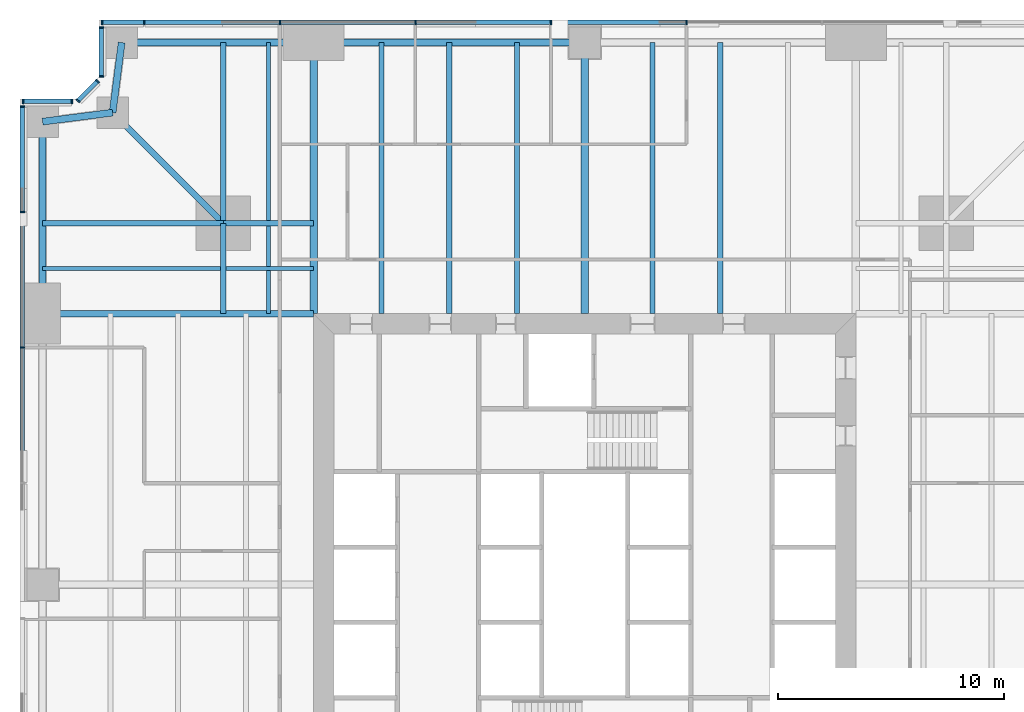
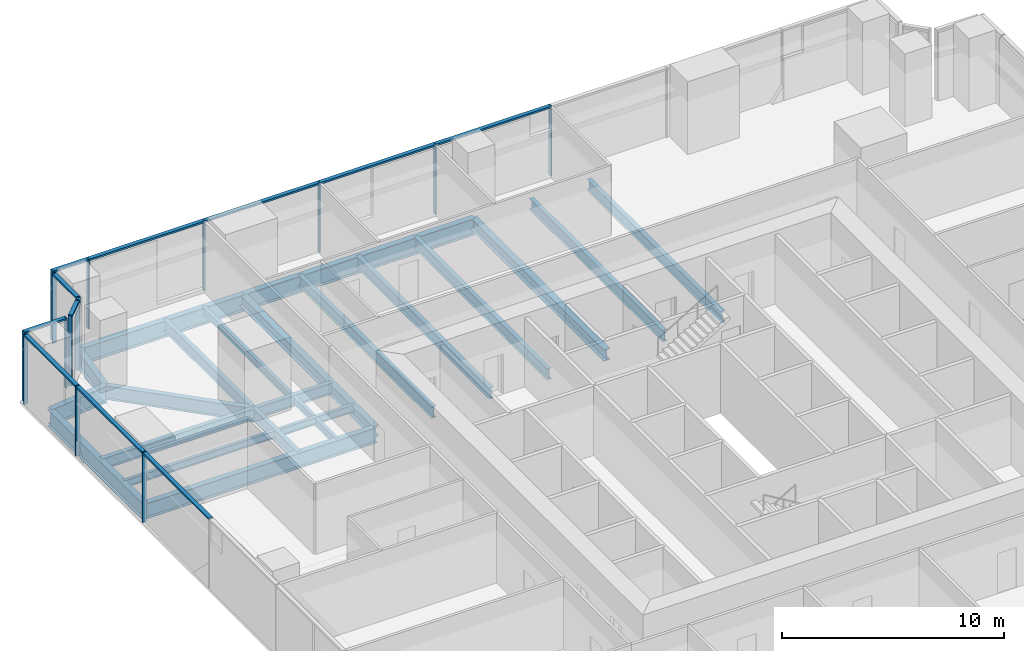
# One storey, part 6 of 13: 26 members, 23 beams, 5 elements without a shape of their own.
"""IFC4 building model written with IfcOpenShell, lengths in metres."""

import ifcopenshell
import ifcopenshell.guid

model = None  # the IFC model being written
_history = None  # IfcOwnerHistory: only IFC2X3 demands one
_inside = {}  # id of a spatial element -> (the spatial element, [elements in it])
_under = {}  # id of a project, library or spatial element -> (it, [spatial elements below it])
_declared = {}  # id of a project -> (the project, [libraries it declares])
_typed = {}  # id of a type object -> (the type object, [elements of that type])
_made_of = {}  # id of a material, layer set ... -> (it, [elements and type objects made of it])


def new_model(schema):
    """Start an empty IFC model of exactly this schema.

    Asked for "IFC4X3", IfcOpenShell would pick the latest addendum, in which some entities
    have other attributes; the version numbers below select the first issue.
    IFC2X3 requires an IfcOwnerHistory on every rooted entity: one is made here for all.
    """
    global model, _history
    if schema == "IFC4X3":
        model = ifcopenshell.file(schema_version=(4, 3, 0, 0))
    else:
        model = ifcopenshell.file(schema=schema)
    _inside.clear()
    _under.clear()
    _declared.clear()
    _typed.clear()
    _made_of.clear()
    _history = None
    if model.schema == "IFC2X3":
        org = make("IfcOrganization", Name="unknown")
        user = make(
            "IfcPersonAndOrganization",
            ThePerson=make("IfcPerson", FamilyName="unknown"),
            TheOrganization=org,
        )
        app = make(
            "IfcApplication",
            ApplicationDeveloper=org,
            Version="unknown",
            ApplicationFullName="unknown",
            ApplicationIdentifier="unknown",
        )
        _history = make(
            "IfcOwnerHistory",
            OwningUser=user,
            OwningApplication=app,
            ChangeAction="ADDED",
            CreationDate=0,
        )
    return model


def make(cls, **values):
    """One entity of the class cls with the attributes given. An attribute that is None is left unset."""
    return model.create_entity(
        cls, **{name: value for name, value in values.items() if value is not None}
    )


def rooted(cls, **values):
    """An entity with a GlobalId (a new one), such as an element, a storey or a relation."""
    return make(cls, GlobalId=ifcopenshell.guid.new(), OwnerHistory=_history, **values)


def si_unit(unit_type, name, prefix=None):
    """IfcSIUnit, for example si_unit("LENGTHUNIT", "METRE", prefix="MILLI")."""
    return make("IfcSIUnit", UnitType=unit_type, Prefix=prefix, Name=name)


def assignment(units):
    """IfcUnitAssignment: the units of a project."""
    return None if units is None else make("IfcUnitAssignment", Units=units)


def point(xyz):
    """IfcCartesianPoint."""
    return None if xyz is None else make("IfcCartesianPoint", Coordinates=xyz)


def direction(xyz):
    """IfcDirection."""
    return None if xyz is None else make("IfcDirection", DirectionRatios=xyz)


def frame(location, z_axis=None, x_axis=None):
    """IfcAxis2Placement3D, a coordinate frame: its origin and axes. An axis left out is left unset."""
    return make(
        "IfcAxis2Placement3D",
        Location=point(location),
        Axis=direction(z_axis),
        RefDirection=direction(x_axis),
    )


def frame_2d(location, x_axis=None):
    """IfcAxis2Placement2D, a coordinate frame in the plane: its origin and x axis."""
    return make(
        "IfcAxis2Placement2D", Location=point(location), RefDirection=direction(x_axis)
    )


def origin():
    """The frame at (0, 0, 0) with its axes left unset."""
    return frame((0.0, 0.0, 0.0))


def origin_2d():
    """The frame at (0, 0) in the plane with its x axis left unset."""
    return frame_2d((0.0, 0.0))


def place(relative_to, where):
    """IfcLocalPlacement: puts the frame where relative to a parent placement (None: the world)."""
    return make(
        "IfcLocalPlacement", PlacementRelTo=relative_to, RelativePlacement=where
    )


def context(
    kind, dimensions, precision=None, world=None, true_north=None, identifier=None
):
    """IfcGeometricRepresentationContext, for example the 3D "Model" context."""
    return make(
        "IfcGeometricRepresentationContext",
        ContextIdentifier=identifier,
        ContextType=kind,
        CoordinateSpaceDimension=dimensions,
        Precision=precision,
        WorldCoordinateSystem=world,
        TrueNorth=true_north,
    )


def subcontext(parent, identifier, kind, view, scale=None):
    """IfcGeometricRepresentationSubContext, for example "Body" below "Model"."""
    return make(
        "IfcGeometricRepresentationSubContext",
        ContextIdentifier=identifier,
        ContextType=kind,
        ParentContext=parent,
        TargetScale=scale,
        TargetView=view,
    )


def project(units=None, contexts=None):
    """IfcProject with its units and contexts."""
    return rooted(
        "IfcProject",
        Name="project",
        RepresentationContexts=contexts,
        UnitsInContext=assignment(units),
    )


def spatial(cls, under=None, at=None, **own):
    """A site, building, storey or space (cls), placed at a placement, below another one or the project."""
    s = rooted(cls, ObjectPlacement=at, **own)
    if under is not None:
        _under.setdefault(under.id(), (under, []))[1].append(s)
    return s


def profile(cls, at=None, kind="AREA", **sizes):
    """A parametric profile (cls). Its sizes go by their IFC names, for example OverallWidth=200.0."""
    return make(cls, ProfileType=kind, Position=at, **sizes)


def rectangle(**sizes):
    """IfcRectangleProfileDef."""
    return profile("IfcRectangleProfileDef", **sizes)


def i_section(**sizes):
    """IfcIShapeProfileDef."""
    return profile("IfcIShapeProfileDef", **sizes)


def extrude(swept, where, along, depth):
    """IfcExtrudedAreaSolid: the profile swept, set in the frame where, extruded along a direction by depth."""
    return make(
        "IfcExtrudedAreaSolid",
        SweptArea=swept,
        Position=where,
        ExtrudedDirection=direction(along),
        Depth=depth,
    )


def shape(context_of_items, identifier, shape_type, items):
    """IfcShapeRepresentation: the items that make up one representation, for example the "Body"."""
    return make(
        "IfcShapeRepresentation",
        ContextOfItems=context_of_items,
        RepresentationIdentifier=identifier,
        RepresentationType=shape_type,
        Items=items,
    )


def material(Name=None, Category=None):
    """IfcMaterial."""
    return make("IfcMaterial", Name=Name, Category=Category)


def material_profile(
    of_material, cross_section, Name=None, Category=None, Priority=None
):
    """IfcMaterialProfile: a cross section and its material."""
    return make(
        "IfcMaterialProfile",
        Name=Name,
        Material=of_material,
        Profile=cross_section,
        Priority=Priority,
        Category=Category,
    )


def profile_set(profiles, Name=None, composite=None):
    """IfcMaterialProfileSet."""
    return make(
        "IfcMaterialProfileSet",
        Name=Name,
        MaterialProfiles=profiles,
        CompositeProfile=composite,
    )


def made_of(thing, what):
    """Note that an element or type object is made of a material, layer set ...; save() writes the relation."""
    if what is not None:
        _made_of.setdefault(what.id(), (what, []))[1].append(thing)
    return thing


def type_object(cls, material=None, **own):
    """A type object (cls), such as IfcWallType, which elements share."""
    return made_of(rooted(cls, **own), material)


def element(
    cls,
    number,
    at=None,
    inside=None,
    cuts=None,
    type_object=None,
    material=None,
    context=None,
    identifier="Body",
    shape_type=None,
    held_by="IfcProductDefinitionShape",
    body=None,
    shapes=None,
    **own,
):
    """One element of the class cls, such as IfcWall. Its Tag is "e" and its number.

    at: its placement. inside: the storey or other place that contains it. cuts: it is an
    opening in that element (IfcRelVoidsElement). A single representation is given by context,
    identifier, shape_type and body (its items); several are given by shapes. held_by: the class
    of the entity that holds the representations. save() writes the other relations.
    """
    e = rooted(cls, Tag="e%d" % number, ObjectPlacement=at, **own)
    if body is not None:
        shapes = [shape(context, identifier, shape_type, body)]
    if shapes is not None:
        e.Representation = make(held_by, Representations=shapes)
    if inside is not None:
        _inside.setdefault(inside.id(), (inside, []))[1].append(e)
    if cuts is not None:
        rooted(
            "IfcRelVoidsElement", RelatingBuildingElement=cuts, RelatedOpeningElement=e
        )
    if type_object is not None:
        _typed.setdefault(type_object.id(), (type_object, []))[1].append(e)
    return made_of(e, material)


def aggregate(whole, parts):
    """IfcRelAggregates: a whole, such as a stair, and the parts it consists of."""
    return rooted("IfcRelAggregates", RelatingObject=whole, RelatedObjects=parts)


def save(model, path):
    """Write the relations noted so far, then the file.

    IfcRelAggregates (storeys below a building ...), IfcRelContainedInSpatialStructure (elements
    in a storey), IfcRelDefinesByType, IfcRelAssociatesMaterial and IfcRelDeclares: one each for
    every whole, place, type object, material and project.
    """
    for whole, parts in _under.values():
        aggregate(whole, parts)
    for where, things in _inside.values():
        rooted(
            "IfcRelContainedInSpatialStructure",
            RelatedElements=things,
            RelatingStructure=where,
        )
    for kind, things in _typed.values():
        rooted("IfcRelDefinesByType", RelatedObjects=things, RelatingType=kind)
    for what, things in _made_of.values():
        rooted("IfcRelAssociatesMaterial", RelatedObjects=things, RelatingMaterial=what)
    for by, libraries in _declared.values():
        rooted("IfcRelDeclares", RelatingContext=by, RelatedDefinitions=libraries)
    model.write(path)


model = new_model("IFC4")

# Units and contexts
model_context = context("Model", 3, precision=1e-05, world=origin(), true_north=direction((0.0, 1.0)))
body_context = subcontext(model_context, "Body", "Model", "MODEL_VIEW")
ifc_project = project(units=[si_unit("LENGTHUNIT", "METRE"), si_unit("AREAUNIT", "SQUARE_METRE"), si_unit("VOLUMEUNIT", "CUBIC_METRE"), si_unit("PLANEANGLEUNIT", "RADIAN"), si_unit("MASSUNIT", "GRAM", prefix="KILO")], contexts=[model_context])

# Site, building, storey
site_placement = place(None, origin())
site = spatial("IfcSite", under=ifc_project, at=site_placement, CompositionType="ELEMENT")
building_placement = place(site_placement, origin())
building = spatial("IfcBuilding", under=site, at=building_placement, Name="Fenwick Lantern Interchange", CompositionType="ELEMENT")
storey_placement = place(building_placement, frame((0.0, 0.0, 63.0)))
storey = spatial("IfcBuildingStorey", under=building, at=storey_placement, Name="L14", CompositionType="ELEMENT", Elevation=63.0)

# Beams
ifc_material_1 = material(Name="Steel ASTM A992 Grade 50", Category="steel")
ifc_material_profile_1 = material_profile(ifc_material_1, i_section(OverallWidth=0.3046875, OverallDepth=0.911865234375, WebThickness=0.015869140625, FlangeThickness=0.02392578125, at=origin_2d()), Name="W36X150")
ifc_profile_set_1 = profile_set([ifc_material_profile_1], Name="Steel ASTM A992 Grade 50")
beam_type_1 = type_object("IfcBeamType", Name="EDGE BEAM W36X150", PredefinedType="SPANDREL", material=ifc_profile_set_1)
beam_1_placement = place(storey_placement, frame((25.0, 49.0, -0.60595703125), z_axis=(-1.0, 0.0, 0.0), x_axis=(0.0, -1.0, 0.0)))
element("IfcBeam", 1, at=beam_1_placement, inside=storey, type_object=beam_type_1, Name="L14/FR/N/EB3", PredefinedType="SPANDREL", context=body_context, shape_type="SweptSolid", body=[
    extrude(i_section(OverallWidth=0.3046875, OverallDepth=0.911865234375, WebThickness=0.015869140625, FlangeThickness=0.02392578125, at=origin_2d()), origin(), (0.0, 0.0, 1.0), 12.0),
])
beam_2_placement = place(storey_placement, frame((13.0, 49.0, -0.60595703125), z_axis=(-1.0, 0.0, 0.0), x_axis=(0.0, -1.0, 0.0)))
element("IfcBeam", 2, at=beam_2_placement, inside=storey, type_object=beam_type_1, Name="L14/FR/N/EB4", PredefinedType="SPANDREL", context=body_context, shape_type="SweptSolid", body=[
    extrude(i_section(OverallWidth=0.3046875, OverallDepth=0.911865234375, WebThickness=0.015869140625, FlangeThickness=0.02392578125, at=origin_2d()), origin(), (0.0, 0.0, 1.0), 8.5),
])
for number, where, z_axis, x_axis, name in (
    (3, (4.5, 49.0, -0.60595703125), (-0.127936641807, -0.991782342897, 0.0), (0.991782342897, -0.127936641807, 0.0), "L14/FR/N/EBR1"),
    (4, (4.10009765625, 45.89990234375, -0.60595703125), (-0.991782342897, -0.127936641807, 0.0), (0.127936641807, -0.991782342897, 0.0), "L14/FR/N/EBR2"),
):
    element("IfcBeam", number, at=place(storey_placement, frame(where, z_axis=z_axis, x_axis=x_axis)), inside=storey, type_object=beam_type_1, Name=name, PredefinedType="SPANDREL", context=body_context, shape_type="SweptSolid", body=[
        extrude(i_section(OverallWidth=0.3046875, OverallDepth=0.911865234375, WebThickness=0.015869140625, FlangeThickness=0.02392578125, at=origin_2d()), origin(), (0.0, 0.0, 1.0), 3.125732421875),
    ])
beam_3_placement = place(storey_placement, frame((1.0, 45.5, -0.60595703125), z_axis=(0.0, -1.0, 0.0), x_axis=(1.0, 0.0, 0.0)))
element("IfcBeam", 5, at=beam_3_placement, inside=storey, type_object=beam_type_1, Name="L14/FR/W/EB1", PredefinedType="SPANDREL", context=body_context, shape_type="SweptSolid", body=[
    extrude(i_section(OverallWidth=0.3046875, OverallDepth=0.911865234375, WebThickness=0.015869140625, FlangeThickness=0.02392578125, at=origin_2d()), origin(), (0.0, 0.0, 1.0), 8.5),
])
ifc_material_profile_2 = material_profile(ifc_material_1, i_section(OverallWidth=0.22900390625, OverallDepth=0.612060546875, WebThickness=0.011962890625, FlangeThickness=0.01953125, at=origin_2d()), Name="W24X84")
ifc_profile_set_2 = profile_set([ifc_material_profile_2], Name="Steel ASTM A992 Grade 50")
beam_type_2 = type_object("IfcBeamType", Name="FLOOR BEAM W24X84", PredefinedType="BEAM", material=ifc_profile_set_2)
for number, where, z_axis, x_axis, name in (
    (6, (31.0, 49.0, -0.4560546875), (0.0, -1.0, 0.0), (1.0, 0.0, 0.0), "L14/FR/N/R03"),
    (7, (28.0, 49.0, -0.4560546875), (0.0, -1.0, 0.0), (1.0, 0.0, 0.0), "L14/FR/N/R04"),
    (8, (22.0, 49.0, -0.4560546875), (0.0, -1.0, 0.0), (1.0, 0.0, 0.0), "L14/FR/N/R06"),
    (9, (19.0, 49.0, -0.4560546875), (0.0, -1.0, 0.0), (1.0, 0.0, 0.0), "L14/FR/N/R07"),
    (10, (16.0, 49.0, -0.4560546875), (0.0, -1.0, 0.0), (1.0, 0.0, 0.0), "L14/FR/N/R08"),
):
    element("IfcBeam", number, at=place(storey_placement, frame(where, z_axis=z_axis, x_axis=x_axis)), inside=storey, type_object=beam_type_2, Name=name, PredefinedType="BEAM", context=body_context, shape_type="SweptSolid", body=[
        extrude(i_section(OverallWidth=0.22900390625, OverallDepth=0.612060546875, WebThickness=0.011962890625, FlangeThickness=0.01953125, at=origin_2d()), origin(), (0.0, 0.0, 1.0), 12.0),
    ])
ifc_material_profile_3 = material_profile(ifc_material_1, i_section(OverallWidth=0.177734375, OverallDepth=0.406494140625, WebThickness=0.0078125, FlangeThickness=0.012939453125, at=origin_2d()), Name="W16X40")
ifc_profile_set_3 = profile_set([ifc_material_profile_3], Name="Steel ASTM A992 Grade 50")
beam_type_3 = type_object("IfcBeamType", Name="INFILL BEAM W16X40", PredefinedType="JOIST", material=ifc_profile_set_3)
beam_4_placement = place(storey_placement, frame((1.0, 39.0, -0.353271484375), z_axis=(1.0, 0.0, 0.0), x_axis=(0.0, 1.0, 0.0)))
element("IfcBeam", 11, at=beam_4_placement, inside=storey, type_object=beam_type_3, Name="L14/FR/W/J1", PredefinedType="JOIST", context=body_context, shape_type="SweptSolid", body=[
    extrude(i_section(OverallWidth=0.177734375, OverallDepth=0.406494140625, WebThickness=0.0078125, FlangeThickness=0.012939453125, at=origin_2d()), origin(), (0.0, 0.0, 1.0), 7.885498046875),
])
beam_5_placement = place(storey_placement, frame((9.114501953125, 39.0, -0.353271484375), z_axis=(1.0, 0.0, 0.0), x_axis=(0.0, 1.0, 0.0)))
element("IfcBeam", 12, at=beam_5_placement, inside=storey, type_object=beam_type_3, Name="L14/FR/W/J2", PredefinedType="JOIST", context=body_context, shape_type="SweptSolid", body=[
    extrude(i_section(OverallWidth=0.177734375, OverallDepth=0.406494140625, WebThickness=0.0078125, FlangeThickness=0.012939453125, at=origin_2d()), origin(), (0.0, 0.0, 1.0), 3.885498046875),
])
beam_6_placement = place(storey_placement, frame((11.0, 49.0, -0.353271484375), z_axis=(0.0, -1.0, 0.0), x_axis=(1.0, 0.0, 0.0)))
element("IfcBeam", 13, at=beam_6_placement, inside=storey, type_object=beam_type_3, Name="L14/FR/W/J3", PredefinedType="JOIST", context=body_context, shape_type="SweptSolid", body=[
    extrude(i_section(OverallWidth=0.177734375, OverallDepth=0.406494140625, WebThickness=0.0078125, FlangeThickness=0.012939453125, at=origin_2d()), origin(), (0.0, 0.0, 1.0), 7.885498046875),
])
beam_7_placement = place(storey_placement, frame((11.0, 40.885498046875, -0.353271484375), z_axis=(0.0, -1.0, 0.0), x_axis=(1.0, 0.0, 0.0)))
element("IfcBeam", 14, at=beam_7_placement, inside=storey, type_object=beam_type_3, Name="L14/FR/W/J4", PredefinedType="JOIST", context=body_context, shape_type="SweptSolid", body=[
    extrude(i_section(OverallWidth=0.177734375, OverallDepth=0.406494140625, WebThickness=0.0078125, FlangeThickness=0.012939453125, at=origin_2d()), origin(), (0.0, 0.0, 1.0), 1.796630859375),
])
beam_8_placement = place(storey_placement, frame((11.0, 38.9111328125, -0.353271484375), z_axis=(0.0, -1.0, 0.0), x_axis=(1.0, 0.0, 0.0)))
element("IfcBeam", 15, at=beam_8_placement, inside=storey, type_object=beam_type_3, Name="L14/FR/W/J5", PredefinedType="JOIST", context=body_context, shape_type="SweptSolid", body=[
    extrude(i_section(OverallWidth=0.177734375, OverallDepth=0.406494140625, WebThickness=0.0078125, FlangeThickness=0.012939453125, at=origin_2d()), origin(), (0.0, 0.0, 1.0), 1.9111328125),
])
ifc_material_profile_4 = material_profile(ifc_material_1, i_section(OverallWidth=0.22900390625, OverallDepth=0.612060546875, WebThickness=0.011962890625, FlangeThickness=0.01953125, at=origin_2d()), Name="W24X84")
ifc_profile_set_4 = profile_set([ifc_material_profile_4], Name="Steel ASTM A992 Grade 50")
beam_type_4 = type_object("IfcBeamType", Name="MEGA COLUMN BEAM W24X84", PredefinedType="BEAM", material=ifc_profile_set_4)
for number, where, z_axis, x_axis, name in (
    (16, (9.0, 41.0, -0.4560546875), (-1.0, 0.0, 0.0), (0.0, -1.0, 0.0), "L14/FR/W/MB1"),
    (17, (9.0, 41.0, -0.4560546875), (0.0, 1.0, 0.0), (-1.0, 0.0, 0.0), "L14/FR/W/MB2"),
):
    element("IfcBeam", number, at=place(storey_placement, frame(where, z_axis=z_axis, x_axis=x_axis)), inside=storey, type_object=beam_type_4, Name=name, PredefinedType="BEAM", context=body_context, shape_type="SweptSolid", body=[
        extrude(i_section(OverallWidth=0.22900390625, OverallDepth=0.612060546875, WebThickness=0.011962890625, FlangeThickness=0.01953125, at=origin_2d()), origin(), (0.0, 0.0, 1.0), 8.0),
    ])
for number, where, z_axis, x_axis, name in (
    (18, (9.0, 41.0, -0.4560546875), (0.0, -1.0, 0.0), (1.0, 0.0, 0.0), "L14/FR/W/MB3"),
    (19, (9.0, 41.0, -0.4560546875), (1.0, 0.0, 0.0), (0.0, 1.0, 0.0), "L14/FR/W/MB4"),
):
    element("IfcBeam", number, at=place(storey_placement, frame(where, z_axis=z_axis, x_axis=x_axis)), inside=storey, type_object=beam_type_4, Name=name, PredefinedType="BEAM", context=body_context, shape_type="SweptSolid", body=[
        extrude(i_section(OverallWidth=0.22900390625, OverallDepth=0.612060546875, WebThickness=0.011962890625, FlangeThickness=0.01953125, at=origin_2d()), origin(), (0.0, 0.0, 1.0), 4.0),
    ])
ifc_material_profile_5 = material_profile(ifc_material_1, i_section(OverallWidth=0.32763671875, OverallDepth=0.622314453125, WebThickness=0.015380859375, FlangeThickness=0.0244140625, at=origin_2d()), Name="W24X131")
ifc_profile_set_5 = profile_set([ifc_material_profile_5], Name="Steel ASTM A992 Grade 50")
beam_type_5 = type_object("IfcBeamType", Name="MOMENT-CONNECTED GIRDER W24X131", PredefinedType="BEAM", material=ifc_profile_set_5)
for number, where, z_axis, x_axis, name in (
    (20, (25.0, 49.0, -0.461181640625), (0.0, -1.0, 0.0), (1.0, 0.0, 0.0), "L14/FR/N/R05"),
    (21, (13.0, 49.0, -0.461181640625), (0.0, -1.0, 0.0), (1.0, 0.0, 0.0), "L14/FR/N/R09"),
):
    element("IfcBeam", number, at=place(storey_placement, frame(where, z_axis=z_axis, x_axis=x_axis)), inside=storey, type_object=beam_type_5, Name=name, PredefinedType="BEAM", context=body_context, shape_type="SweptSolid", body=[
        extrude(i_section(OverallWidth=0.32763671875, OverallDepth=0.622314453125, WebThickness=0.015380859375, FlangeThickness=0.0244140625, at=origin_2d()), origin(), (0.0, 0.0, 1.0), 12.0),
    ])
ifc_material_profile_6 = material_profile(ifc_material_1, i_section(OverallWidth=0.2919921875, OverallDepth=0.845703125, WebThickness=0.015380859375, FlangeThickness=0.0244140625, at=origin_2d()), Name="W33X141")
ifc_profile_set_6 = profile_set([ifc_material_profile_6], Name="Steel ASTM A992 Grade 50")
beam_type_6 = type_object("IfcBeamType", Name="MOMENT-CONNECTED GIRDER W33X141", PredefinedType="BEAM", material=ifc_profile_set_6)
beam_9_placement = place(storey_placement, frame((1.0, 37.0, -0.572998046875), z_axis=(1.0, 0.0, 0.0), x_axis=(0.0, 1.0, 0.0)))
element("IfcBeam", 22, at=beam_9_placement, inside=storey, type_object=beam_type_6, Name="L14/FR/W/R01", PredefinedType="BEAM", context=body_context, shape_type="SweptSolid", body=[
    extrude(i_section(OverallWidth=0.2919921875, OverallDepth=0.845703125, WebThickness=0.015380859375, FlangeThickness=0.0244140625, at=origin_2d()), origin(), (0.0, 0.0, 1.0), 12.0),
])
ifc_material_profile_7 = material_profile(ifc_material_1, i_section(OverallWidth=0.2666015625, OverallDepth=0.7568359375, WebThickness=0.013916015625, FlangeThickness=0.019287109375, at=origin_2d()), Name="W30X108")
ifc_profile_set_7 = profile_set([ifc_material_profile_7], Name="Steel ASTM A992 Grade 50")
beam_type_7 = type_object("IfcBeamType", Name="NOTCH BEAM W30X108", PredefinedType="BEAM", material=ifc_profile_set_7)
beam_10_placement = place(storey_placement, frame((9.0, 41.0, -0.528564453125), z_axis=(-0.707106781187, 0.707106781187, 0.0), x_axis=(-0.707106781187, -0.707106781187, 0.0)))
element("IfcBeam", 23, at=beam_10_placement, inside=storey, type_object=beam_type_7, Name="L14/FR/W/TG", PredefinedType="BEAM", context=body_context, shape_type="SweptSolid", body=[
    extrude(i_section(OverallWidth=0.2666015625, OverallDepth=0.7568359375, WebThickness=0.013916015625, FlangeThickness=0.019287109375, at=origin_2d()), origin(), (0.0, 0.0, 1.0), 6.929443359375),
])

# Curtain wall, members
ifc_material_2 = material(Name="Aluminium curtain wall frame", Category="aluminium")
curtain_wall_type = type_object("IfcCurtainWallType", Name="OFFICE CURTAIN WALL", PredefinedType="USERDEFINED", material=ifc_material_2)
curtain_wall_1_placement = place(storey_placement, origin())
curtain_wall_1 = element("IfcCurtainWall", 24, at=curtain_wall_1_placement, inside=storey, type_object=curtain_wall_type, Name="Office curtain wall 09", ObjectType="OFFICE CURTAIN WALL", PredefinedType="USERDEFINED")
ifc_material_3 = material(Name="Aluminium extrusion", Category="aluminium")
ifc_material_profile_8 = material_profile(ifc_material_3, rectangle(XDim=0.199951171875, YDim=0.06494140625, at=origin_2d()), Name="OFFICE CURTAIN WALL MULLION 65 X 200")
ifc_profile_set_8 = profile_set([ifc_material_profile_8], Name="Aluminium extrusion")
member_type_1 = type_object("IfcMemberType", Name="OFFICE CURTAIN WALL MULLION 65 X 200", PredefinedType="MULLION", material=ifc_profile_set_8)
member_1_placement = place(storey_placement, frame((29.5, 49.89990234375, 0.0), z_axis=(0.0, 0.0, 1.0), x_axis=(0.0, -1.0, 0.0)))
member_1 = element("IfcMember", 25, at=member_1_placement, type_object=member_type_1, Name="L14/CW/09/M03", PredefinedType="MULLION", context=body_context, shape_type="SweptSolid", body=[
    extrude(rectangle(XDim=0.199951171875, YDim=0.06494140625, at=origin_2d()), origin(), (0.0, 0.0, 1.0), 3.85009765625),
])
member_2_placement = place(storey_placement, frame((23.5, 49.89990234375, 0.0), z_axis=(0.0, 0.0, 1.0), x_axis=(0.0, -1.0, 0.0)))
member_2 = element("IfcMember", 26, at=member_2_placement, type_object=member_type_1, Name="L14/CW/09/M04", PredefinedType="MULLION", context=body_context, shape_type="SweptSolid", body=[
    extrude(rectangle(XDim=0.199951171875, YDim=0.06494140625, at=origin_2d()), origin(), (0.0, 0.0, 1.0), 3.85009765625),
])
member_3_placement = place(storey_placement, frame((17.5, 49.89990234375, 0.0), z_axis=(0.0, 0.0, 1.0), x_axis=(0.0, -1.0, 0.0)))
member_3 = element("IfcMember", 27, at=member_3_placement, type_object=member_type_1, Name="L14/CW/09/M05", PredefinedType="MULLION", context=body_context, shape_type="SweptSolid", body=[
    extrude(rectangle(XDim=0.199951171875, YDim=0.06494140625, at=origin_2d()), origin(), (0.0, 0.0, 1.0), 3.85009765625),
])
member_4_placement = place(storey_placement, frame((11.5, 49.89990234375, 0.0), z_axis=(0.0, 0.0, 1.0), x_axis=(0.0, -1.0, 0.0)))
member_4 = element("IfcMember", 28, at=member_4_placement, type_object=member_type_1, Name="L14/CW/09/M06", PredefinedType="MULLION", context=body_context, shape_type="SweptSolid", body=[
    extrude(rectangle(XDim=0.199951171875, YDim=0.06494140625, at=origin_2d()), origin(), (0.0, 0.0, 1.0), 3.85009765625),
])
member_5_placement = place(storey_placement, frame((5.5, 49.89990234375, 0.0), z_axis=(0.0, 0.0, 1.0), x_axis=(0.0, -1.0, 0.0)))
member_5 = element("IfcMember", 29, at=member_5_placement, type_object=member_type_1, Name="L14/CW/09/M07", PredefinedType="MULLION", context=body_context, shape_type="SweptSolid", body=[
    extrude(rectangle(XDim=0.199951171875, YDim=0.06494140625, at=origin_2d()), origin(), (0.0, 0.0, 1.0), 3.85009765625),
])
member_6_placement = place(storey_placement, frame((3.632568359375, 49.89990234375, 0.0), z_axis=(0.0, 0.0, 1.0), x_axis=(0.0, -1.0, 0.0)))
member_6 = element("IfcMember", 30, at=member_6_placement, type_object=member_type_1, Name="L14/CW/09/M08", PredefinedType="MULLION", context=body_context, shape_type="SweptSolid", body=[
    extrude(rectangle(XDim=0.199951171875, YDim=0.06494140625, at=origin_2d()), origin(), (0.0, 0.0, 1.0), 3.85009765625),
])

curtain_wall_2_placement = place(storey_placement, origin())
curtain_wall_2 = element("IfcCurtainWall", 31, at=curtain_wall_2_placement, inside=storey, type_object=curtain_wall_type, Name="Office curtain wall 10", ObjectType="OFFICE CURTAIN WALL", PredefinedType="USERDEFINED")
member_7_placement = place(storey_placement, frame((3.60009765625, 49.66748046875, 0.0), z_axis=(0.0, 0.0, 1.0), x_axis=(1.0, 0.0, 0.0)))
member_7 = element("IfcMember", 32, at=member_7_placement, type_object=member_type_1, Name="L14/CW/10/M00", PredefinedType="MULLION", context=body_context, shape_type="SweptSolid", body=[
    extrude(rectangle(XDim=0.199951171875, YDim=0.06494140625, at=origin_2d()), origin(), (0.0, 0.0, 1.0), 3.85009765625),
])
member_8_placement = place(storey_placement, frame((3.60009765625, 47.490966796875, 0.0), z_axis=(0.0, 0.0, 1.0), x_axis=(1.0, 0.0, 0.0)))
member_8 = element("IfcMember", 33, at=member_8_placement, type_object=member_type_1, Name="L14/CW/10/M01", PredefinedType="MULLION", context=body_context, shape_type="SweptSolid", body=[
    extrude(rectangle(XDim=0.199951171875, YDim=0.06494140625, at=origin_2d()), origin(), (0.0, 0.0, 1.0), 3.85009765625),
])

curtain_wall_3_placement = place(storey_placement, origin())
curtain_wall_3 = element("IfcCurtainWall", 34, at=curtain_wall_3_placement, inside=storey, type_object=curtain_wall_type, Name="Office curtain wall 11", ObjectType="OFFICE CURTAIN WALL", PredefinedType="USERDEFINED")
member_9_placement = place(storey_placement, frame((3.435546875, 47.294189453125, 0.0), z_axis=(0.0, 0.0, 1.0), x_axis=(0.707106781187, -0.707106781187, 0.0)))
member_9 = element("IfcMember", 35, at=member_9_placement, type_object=member_type_1, Name="L14/CW/11/M00", PredefinedType="MULLION", context=body_context, shape_type="SweptSolid", body=[
    extrude(rectangle(XDim=0.199951171875, YDim=0.06494140625, at=origin_2d()), origin(), (0.0, 0.0, 1.0), 3.85009765625),
])
member_10_placement = place(storey_placement, frame((2.564453125, 46.423095703125, 0.0), z_axis=(0.0, 0.0, 1.0), x_axis=(0.707106781187, -0.707106781187, 0.0)))
member_10 = element("IfcMember", 36, at=member_10_placement, type_object=member_type_1, Name="L14/CW/11/M01", PredefinedType="MULLION", context=body_context, shape_type="SweptSolid", body=[
    extrude(rectangle(XDim=0.199951171875, YDim=0.06494140625, at=origin_2d()), origin(), (0.0, 0.0, 1.0), 3.85009765625),
])

curtain_wall_4_placement = place(storey_placement, origin())
curtain_wall_4 = element("IfcCurtainWall", 37, at=curtain_wall_4_placement, inside=storey, type_object=curtain_wall_type, Name="Office curtain wall 12", ObjectType="OFFICE CURTAIN WALL", PredefinedType="USERDEFINED")
member_11_placement = place(storey_placement, frame((2.308837890625, 46.39990234375, 0.0), z_axis=(0.0, 0.0, 1.0), x_axis=(0.0, -1.0, 0.0)))
member_11 = element("IfcMember", 38, at=member_11_placement, type_object=member_type_1, Name="L14/CW/12/M00", PredefinedType="MULLION", context=body_context, shape_type="SweptSolid", body=[
    extrude(rectangle(XDim=0.199951171875, YDim=0.06494140625, at=origin_2d()), origin(), (0.0, 0.0, 1.0), 3.85009765625),
])
member_12_placement = place(storey_placement, frame((0.132568359375, 46.39990234375, 0.0), z_axis=(0.0, 0.0, 1.0), x_axis=(0.0, -1.0, 0.0)))
member_12 = element("IfcMember", 39, at=member_12_placement, type_object=member_type_1, Name="L14/CW/12/M01", PredefinedType="MULLION", context=body_context, shape_type="SweptSolid", body=[
    extrude(rectangle(XDim=0.199951171875, YDim=0.06494140625, at=origin_2d()), origin(), (0.0, 0.0, 1.0), 3.85009765625),
])

curtain_wall_5_placement = place(storey_placement, origin())
curtain_wall_5 = element("IfcCurtainWall", 40, at=curtain_wall_5_placement, inside=storey, type_object=curtain_wall_type, Name="Office curtain wall 13", ObjectType="OFFICE CURTAIN WALL", PredefinedType="USERDEFINED")
member_13_placement = place(storey_placement, frame((0.10009765625, 46.16748046875, 0.0), z_axis=(0.0, 0.0, 1.0), x_axis=(1.0, 0.0, 0.0)))
member_13 = element("IfcMember", 41, at=member_13_placement, type_object=member_type_1, Name="L14/CW/13/M00", PredefinedType="MULLION", context=body_context, shape_type="SweptSolid", body=[
    extrude(rectangle(XDim=0.199951171875, YDim=0.06494140625, at=origin_2d()), origin(), (0.0, 0.0, 1.0), 3.85009765625),
])
member_14_placement = place(storey_placement, frame((0.10009765625, 41.5, 0.0), z_axis=(0.0, 0.0, 1.0), x_axis=(1.0, 0.0, 0.0)))
member_14 = element("IfcMember", 42, at=member_14_placement, type_object=member_type_1, Name="L14/CW/13/M01", PredefinedType="MULLION", context=body_context, shape_type="SweptSolid", body=[
    extrude(rectangle(XDim=0.199951171875, YDim=0.06494140625, at=origin_2d()), origin(), (0.0, 0.0, 1.0), 3.85009765625),
])
member_15_placement = place(storey_placement, frame((0.10009765625, 35.5, 0.0), z_axis=(0.0, 0.0, 1.0), x_axis=(1.0, 0.0, 0.0)))
member_15 = element("IfcMember", 43, at=member_15_placement, type_object=member_type_1, Name="L14/CW/13/M02", PredefinedType="MULLION", context=body_context, shape_type="SweptSolid", body=[
    extrude(rectangle(XDim=0.199951171875, YDim=0.06494140625, at=origin_2d()), origin(), (0.0, 0.0, 1.0), 3.85009765625),
])

# Member
ifc_material_profile_9 = material_profile(ifc_material_3, rectangle(XDim=0.199951171875, YDim=0.10009765625, at=origin_2d()), Name="OFFICE CURTAIN WALL TRANSOM 100 X 200")
ifc_profile_set_9 = profile_set([ifc_material_profile_9], Name="Aluminium extrusion")
member_type_2 = type_object("IfcMemberType", Name="OFFICE CURTAIN WALL TRANSOM 100 X 200", PredefinedType="MULLION", material=ifc_profile_set_9)
member_16_placement = place(storey_placement, frame((29.467529296875, 49.89990234375, 3.800048828125), z_axis=(-1.0, 0.0, 0.0), x_axis=(0.0, -1.0, 0.0)))
member_16 = element("IfcMember", 44, at=member_16_placement, type_object=member_type_2, Name="L14/CW/09/T03", PredefinedType="MULLION", context=body_context, shape_type="SweptSolid", body=[
    extrude(rectangle(XDim=0.199951171875, YDim=0.10009765625, at=origin_2d()), origin(), (0.0, 0.0, 1.0), 5.93505859375),
])

member_17_placement = place(storey_placement, frame((23.467529296875, 49.89990234375, 3.800048828125), z_axis=(-1.0, 0.0, 0.0), x_axis=(0.0, -1.0, 0.0)))
member_17 = element("IfcMember", 45, at=member_17_placement, type_object=member_type_2, Name="L14/CW/09/T04", PredefinedType="MULLION", context=body_context, shape_type="SweptSolid", body=[
    extrude(rectangle(XDim=0.199951171875, YDim=0.10009765625, at=origin_2d()), origin(), (0.0, 0.0, 1.0), 5.93505859375),
])

member_18_placement = place(storey_placement, frame((17.467529296875, 49.89990234375, 3.800048828125), z_axis=(-1.0, 0.0, 0.0), x_axis=(0.0, -1.0, 0.0)))
member_18 = element("IfcMember", 46, at=member_18_placement, type_object=member_type_2, Name="L14/CW/09/T05", PredefinedType="MULLION", context=body_context, shape_type="SweptSolid", body=[
    extrude(rectangle(XDim=0.199951171875, YDim=0.10009765625, at=origin_2d()), origin(), (0.0, 0.0, 1.0), 5.93505859375),
])

member_19_placement = place(storey_placement, frame((11.467529296875, 49.89990234375, 3.800048828125), z_axis=(-1.0, 0.0, 0.0), x_axis=(0.0, -1.0, 0.0)))
member_19 = element("IfcMember", 47, at=member_19_placement, type_object=member_type_2, Name="L14/CW/09/T06", PredefinedType="MULLION", context=body_context, shape_type="SweptSolid", body=[
    extrude(rectangle(XDim=0.199951171875, YDim=0.10009765625, at=origin_2d()), origin(), (0.0, 0.0, 1.0), 5.93505859375),
])

member_20_placement = place(storey_placement, frame((5.467529296875, 49.89990234375, 3.800048828125), z_axis=(-1.0, 0.0, 0.0), x_axis=(0.0, -1.0, 0.0)))
member_20 = element("IfcMember", 48, at=member_20_placement, type_object=member_type_2, Name="L14/CW/09/T07", PredefinedType="MULLION", context=body_context, shape_type="SweptSolid", body=[
    extrude(rectangle(XDim=0.199951171875, YDim=0.10009765625, at=origin_2d()), origin(), (0.0, 0.0, 1.0), 1.802490234375),
])

aggregate(curtain_wall_1, [member_1, member_2, member_3, member_4, member_5, member_6, member_16, member_17, member_18, member_19, member_20])

member_21_placement = place(storey_placement, frame((3.60009765625, 49.635009765625, 3.800048828125), z_axis=(0.0, -1.0, 0.0), x_axis=(1.0, 0.0, 0.0)))
member_21 = element("IfcMember", 49, at=member_21_placement, type_object=member_type_2, Name="L14/CW/10/T00", PredefinedType="MULLION", context=body_context, shape_type="SweptSolid", body=[
    extrude(rectangle(XDim=0.199951171875, YDim=0.10009765625, at=origin_2d()), origin(), (0.0, 0.0, 1.0), 2.111328125),
])

aggregate(curtain_wall_2, [member_7, member_8, member_21])

member_22_placement = place(storey_placement, frame((3.41259765625, 47.271240234375, 3.800048828125), z_axis=(-0.707106781187, -0.707106781187, 0.0), x_axis=(0.707106781187, -0.707106781187, 0.0)))
member_22 = element("IfcMember", 50, at=member_22_placement, type_object=member_type_2, Name="L14/CW/11/T00", PredefinedType="MULLION", context=body_context, shape_type="SweptSolid", body=[
    extrude(rectangle(XDim=0.199951171875, YDim=0.10009765625, at=origin_2d()), origin(), (0.0, 0.0, 1.0), 1.1669921875),
])

aggregate(curtain_wall_3, [member_9, member_10, member_22])

member_23_placement = place(storey_placement, frame((2.2763671875, 46.39990234375, 3.800048828125), z_axis=(-1.0, 0.0, 0.0), x_axis=(0.0, -1.0, 0.0)))
member_23 = element("IfcMember", 51, at=member_23_placement, type_object=member_type_2, Name="L14/CW/12/T00", PredefinedType="MULLION", context=body_context, shape_type="SweptSolid", body=[
    extrude(rectangle(XDim=0.199951171875, YDim=0.10009765625, at=origin_2d()), origin(), (0.0, 0.0, 1.0), 2.111328125),
])

aggregate(curtain_wall_4, [member_11, member_12, member_23])

member_24_placement = place(storey_placement, frame((0.10009765625, 46.135009765625, 3.800048828125), z_axis=(0.0, -1.0, 0.0), x_axis=(1.0, 0.0, 0.0)))
member_24 = element("IfcMember", 52, at=member_24_placement, type_object=member_type_2, Name="L14/CW/13/T00", PredefinedType="MULLION", context=body_context, shape_type="SweptSolid", body=[
    extrude(rectangle(XDim=0.199951171875, YDim=0.10009765625, at=origin_2d()), origin(), (0.0, 0.0, 1.0), 4.6025390625),
])

member_25_placement = place(storey_placement, frame((0.10009765625, 41.467529296875, 3.800048828125), z_axis=(0.0, -1.0, 0.0), x_axis=(1.0, 0.0, 0.0)))
member_25 = element("IfcMember", 53, at=member_25_placement, type_object=member_type_2, Name="L14/CW/13/T01", PredefinedType="MULLION", context=body_context, shape_type="SweptSolid", body=[
    extrude(rectangle(XDim=0.199951171875, YDim=0.10009765625, at=origin_2d()), origin(), (0.0, 0.0, 1.0), 5.93505859375),
])

member_26_placement = place(storey_placement, frame((0.10009765625, 35.467529296875, 3.800048828125), z_axis=(0.0, -1.0, 0.0), x_axis=(1.0, 0.0, 0.0)))
member_26 = element("IfcMember", 54, at=member_26_placement, type_object=member_type_2, Name="L14/CW/13/T02", PredefinedType="MULLION", context=body_context, shape_type="SweptSolid", body=[
    extrude(rectangle(XDim=0.199951171875, YDim=0.10009765625, at=origin_2d()), origin(), (0.0, 0.0, 1.0), 5.93505859375),
])

aggregate(curtain_wall_5, [member_13, member_14, member_15, member_24, member_25, member_26])

save(model, "model.ifc")
